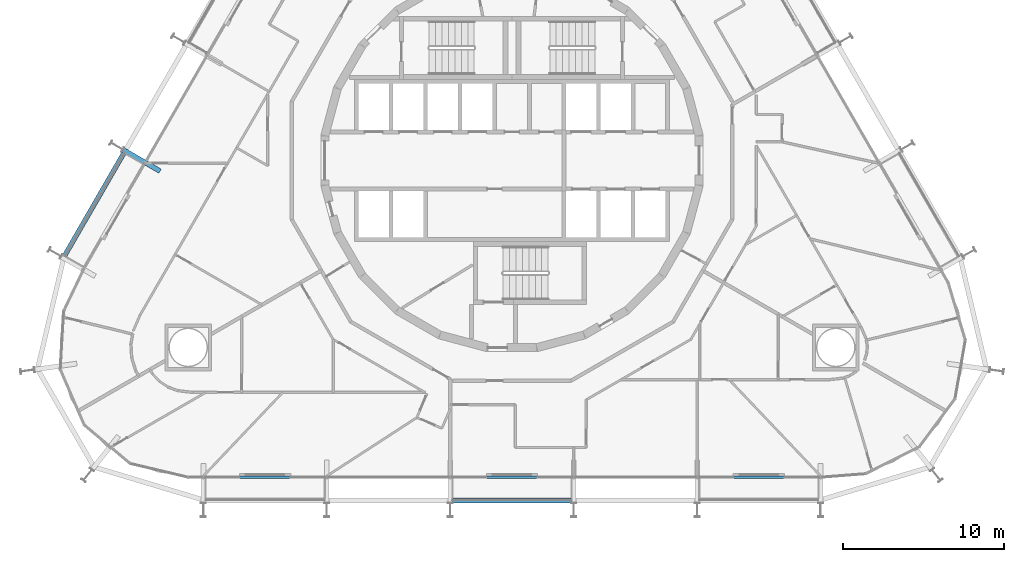
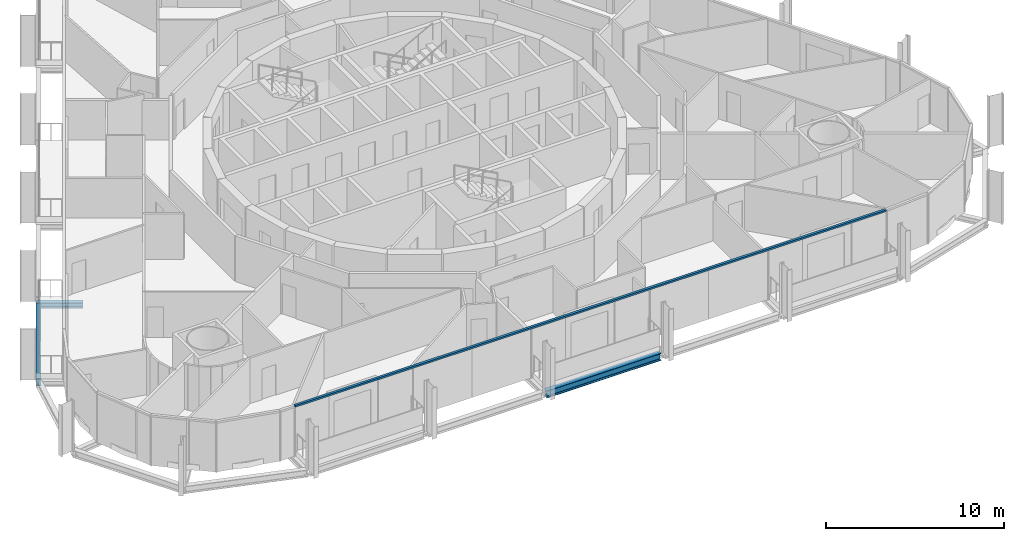
# One storey, part 4 of 21: 3 beams, 1 member, 1 element without a shape of its own.
"""IFC4 building model written with IfcOpenShell, lengths in metres."""

from ifc_helpers import new_model, si_unit, direction, frame, origin, origin_2d, place, context, subcontext, project, spatial, rectangle, i_section, extrude, material, layer, layer_set, material_profile, profile_set, type_object, element, aggregate, save


model = new_model("IFC4")

# Units and contexts
model_context = context("Model", 3, precision=1e-05, world=origin(), true_north=direction((0.0, 1.0)))
body_context = subcontext(model_context, "Body", "Model", "MODEL_VIEW")
ifc_project = project(units=[si_unit("LENGTHUNIT", "METRE"), si_unit("AREAUNIT", "SQUARE_METRE"), si_unit("VOLUMEUNIT", "CUBIC_METRE"), si_unit("PLANEANGLEUNIT", "RADIAN"), si_unit("MASSUNIT", "GRAM", prefix="KILO")], contexts=[model_context])

# Site, building, storey
site_placement = place(None, origin())
site = spatial("IfcSite", under=ifc_project, at=site_placement, CompositionType="ELEMENT")
building_placement = place(site_placement, origin())
building = spatial("IfcBuilding", under=site, at=building_placement, Name="Spindle Arch Residences", CompositionType="ELEMENT")
storey_placement = place(building_placement, frame((0.0, 0.0, 55.89990234375)))
storey = spatial("IfcBuildingStorey", under=building, at=storey_placement, Name="L12", CompositionType="ELEMENT", Elevation=55.89990234375)

# Curtain wall, member
ifc_material_1 = material(Name="Aluminium bronze unitised frame with tinted glass", Category="aluminium")
ifc_layer = layer(ifc_material_1, 0.159912109375)
ifc_layer_set = layer_set([ifc_layer], Name="CW-C typical residential unitised wall")
curtain_wall_type = type_object("IfcCurtainWallType", Name="CW-C typical residential unitised wall", PredefinedType="NOTDEFINED", material=ifc_layer_set)
curtain_wall_placement = place(storey_placement, origin())
curtain_wall = element("IfcCurtainWall", 1, at=curtain_wall_placement, inside=storey, type_object=curtain_wall_type, Name="CW-C L12 run 6", PredefinedType="NOTDEFINED")
ifc_material_2 = material(Name="Aluminium bronze anodised transom", Category="aluminium")
ifc_material_profile_1 = material_profile(ifc_material_2, rectangle(XDim=0.159912109375, YDim=0.1201171875, at=origin_2d()), Name="TR 120x160")
ifc_profile_set_1 = profile_set([ifc_material_profile_1], Name="Aluminium bronze anodised transom")
member_type = type_object("IfcMemberType", Name="Bronze transom 120x160", PredefinedType="USERDEFINED", material=ifc_profile_set_1)
member_placement = place(storey_placement, frame((-19.170166015625, -19.7099609375, 3.06005859375), z_axis=(1.0, 0.0, 0.0), x_axis=(0.0, 1.0, 0.0)))
member = element("IfcMember", 2, at=member_placement, type_object=member_type, Name="CW-C transom 00", ObjectType="TRANSOM", PredefinedType="USERDEFINED", context=body_context, shape_type="SweptSolid", body=[
    extrude(rectangle(XDim=0.159912109375, YDim=0.1201171875, at=origin_2d()), origin(), (0.0, 0.0, 1.0), 38.34033203125),
])
aggregate(curtain_wall, [member])

# Beams
ifc_material_3 = material(Name="Steel S460ML, intumescent coating R 120", Category="steel")
ifc_material_profile_2 = material_profile(ifc_material_3, i_section(OverallWidth=0.300048828125, OverallDepth=0.5, WebThickness=0.014404296875, FlangeThickness=0.028076171875, FilletRadius=0.027099609375, at=origin_2d()), Name="HEB 500")
ifc_profile_set_2 = profile_set([ifc_material_profile_2], Name="Steel S460ML, intumescent coating R 120")
beam_type_1 = type_object("IfcBeamType", Name="Exoskeleton edge beam HEB 500", PredefinedType="BEAM", material=ifc_profile_set_2)
beam_1_placement = place(storey_placement, frame((-24.13525390625, 0.482177734375, -0.6298828125), z_axis=(-0.49998923004, -0.866031621735, 0.0), x_axis=(0.866031621735, -0.49998923004, 0.0)))
element("IfcBeam", 3, at=beam_1_placement, inside=storey, type_object=beam_type_1, Name="Exoskeleton edge beam 18", PredefinedType="BEAM", context=body_context, shape_type="SweptSolid", body=[
    extrude(i_section(OverallWidth=0.300048828125, OverallDepth=0.5, WebThickness=0.014404296875, FlangeThickness=0.028076171875, FilletRadius=0.027099609375, at=origin_2d()), origin(), (0.0, 0.0, 1.0), 7.420166015625),
])
beam_2_placement = place(storey_placement, frame((-3.7099609375, -21.142822265625, -0.6298828125), z_axis=(1.0, 0.0, 0.0), x_axis=(0.0, 1.0, 0.0)))
element("IfcBeam", 4, at=beam_2_placement, inside=storey, type_object=beam_type_1, Name="Exoskeleton edge beam 24", PredefinedType="BEAM", context=body_context, shape_type="SweptSolid", body=[
    extrude(i_section(OverallWidth=0.300048828125, OverallDepth=0.5, WebThickness=0.014404296875, FlangeThickness=0.028076171875, FilletRadius=0.027099609375, at=origin_2d()), origin(), (0.0, 0.0, 1.0), 7.419921875),
])
ifc_material_4 = material(Name="Steel S460ML, intumescent coating R 120", Category="steel")
ifc_material_profile_3 = material_profile(ifc_material_4, i_section(OverallWidth=0.300048828125, OverallDepth=0.389892578125, WebThickness=0.010986328125, FlangeThickness=0.01904296875, FilletRadius=0.027099609375, at=origin_2d()), Name="HEA 400")
ifc_profile_set_3 = profile_set([ifc_material_profile_3], Name="Steel S460ML, intumescent coating R 120")
beam_type_2 = type_object("IfcBeamType", Name="Floor outrigger HEA 400", PredefinedType="BEAM", material=ifc_profile_set_3)
beam_3_placement = place(storey_placement, frame((-24.18896484375, 0.6630859375, -0.574951171875), z_axis=(0.866029095148, -0.499993606316, 0.0), x_axis=(0.499993606316, 0.866029095148, 0.0)))
element("IfcBeam", 5, at=beam_3_placement, inside=storey, type_object=beam_type_2, Name="Floor outrigger 18", PredefinedType="BEAM", context=body_context, shape_type="SweptSolid", body=[
    extrude(i_section(OverallWidth=0.300048828125, OverallDepth=0.389892578125, WebThickness=0.010986328125, FlangeThickness=0.01904296875, FilletRadius=0.027099609375, at=origin_2d()), origin(), (0.0, 0.0, 1.0), 2.64990234375),
])

save(model, "model.ifc")
